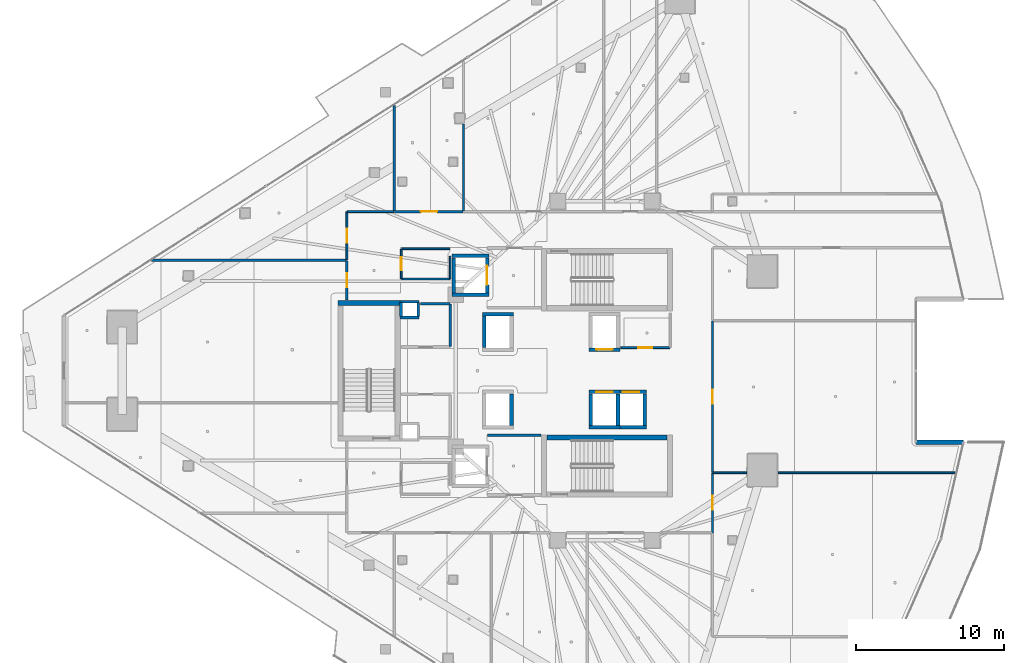
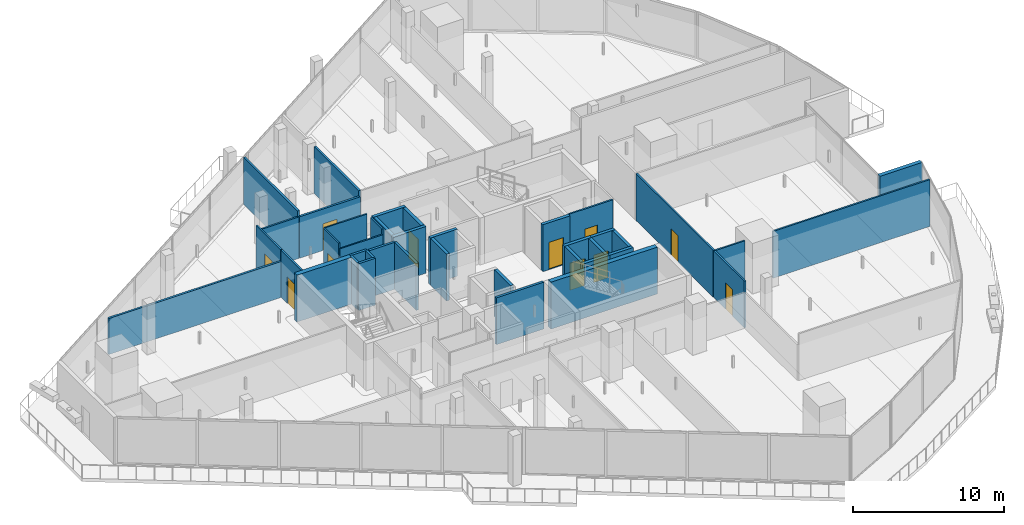
# One storey, part 26 of 39: 41 walls, 11 doors, 11 openings.
"""IFC4 building model written with IfcOpenShell, lengths in metres."""

from ifc_helpers import new_model, si_unit, direction, frame, frame_2d, origin, place, context, subcontext, project, spatial, rectangle, extrude, material, layer, layer_set, type_object, element, fill, save


model = new_model("IFC4")

# Units and contexts
model_context = context("Model", 3, precision=1e-05, world=origin(), true_north=direction((0.0, 1.0)))
body_context = subcontext(model_context, "Body", "Model", "MODEL_VIEW")
ifc_project = project(units=[si_unit("LENGTHUNIT", "METRE"), si_unit("AREAUNIT", "SQUARE_METRE"), si_unit("VOLUMEUNIT", "CUBIC_METRE"), si_unit("PLANEANGLEUNIT", "RADIAN"), si_unit("MASSUNIT", "GRAM", prefix="KILO")], contexts=[model_context])

# Site, building, storey
site_placement = place(None, origin())
site = spatial("IfcSite", under=ifc_project, at=site_placement, CompositionType="ELEMENT")
building_placement = place(site_placement, origin())
building = spatial("IfcBuilding", under=site, at=building_placement, Name="Qorvath Tower", CompositionType="ELEMENT")
storey_placement = place(building_placement, frame((0.0, 0.0, 142.199951171875)))
storey = spatial("IfcBuildingStorey", under=building, at=storey_placement, Name="L32", CompositionType="ELEMENT", Elevation=142.199951171875)

# Walls
ifc_material_1 = material(Name="Gypsum shaftliner on steel studs", Category="steel")
ifc_layer_1 = layer(ifc_material_1, 0.179931640625)
ifc_layer_set_1 = layer_set([ifc_layer_1], Name="FW-LOBBY")
wall_type_1 = type_object("IfcWallType", Name="FW-LOBBY", PredefinedType="PARTITIONING", material=ifc_layer_set_1)
for number, where, z_axis, x_axis, name in (
    (1, (-32.989990234375, 3.594970703125, 0.0), (0.0, 0.0, 1.0), (-1.0, 0.0, 0.0), "MEP Riser Shaft Enclosure Wall N-L32-S"),
    (2, (-34.260009765625, 4.675048828125, 0.0), (0.0, 0.0, 1.0), (1.0, 0.0, 0.0), "MEP Riser Shaft Enclosure Wall N-L32-N"),
):
    element("IfcWall", number, at=place(storey_placement, frame(where, z_axis=z_axis, x_axis=x_axis)), inside=storey, type_object=wall_type_1, Name=name, PredefinedType="PARTITIONING", context=body_context, shape_type="SweptSolid", body=[
        extrude(rectangle(XDim=1.27001953125, YDim=0.179931640625, at=frame_2d((0.635009765625, 0.0))), origin(), (0.0, 0.0, 1.0), 3.780029296875),
    ])
for number, where, z_axis, x_axis, name in (
    (3, (-34.205078125, 3.659912109375, 0.0), (0.0, 0.0, 1.0), (0.0, 1.0, 0.0), "MEP Riser Shaft Enclosure Wall N-L32-W"),
    (4, (-33.044921875, 4.610107421875, 0.0), (0.0, 0.0, 1.0), (0.0, -1.0, 0.0), "MEP Riser Shaft Enclosure Wall N-L32-E"),
):
    element("IfcWall", number, at=place(storey_placement, frame(where, z_axis=z_axis, x_axis=x_axis)), inside=storey, type_object=wall_type_1, Name=name, PredefinedType="PARTITIONING", context=body_context, shape_type="SweptSolid", body=[
        extrude(rectangle(XDim=0.9501953125, YDim=0.179931640625, at=frame_2d((0.47509765625, 0.0))), origin(), (0.0, 0.0, 1.0), 3.780029296875),
    ])
wall_1_placement = place(storey_placement, frame((-24.73291015625, -4.35009765625, 0.0), z_axis=(0.0, 0.0, 1.0), x_axis=(-1.0, 0.0, 0.0)))
element("IfcWall", 5, at=wall_1_placement, inside=storey, type_object=wall_type_1, Name="Interior Partition IW-T1-L32-004", PredefinedType="PARTITIONING", context=body_context, shape_type="SweptSolid", body=[
    extrude(rectangle(XDim=3.6220703125, YDim=0.179931640625, at=frame_2d((1.81103515625, 0.0))), origin(), (0.0, 0.0, 1.0), 3.780029296875),
])
wall_2_placement = place(storey_placement, frame((-30.8798828125, 1.625, 0.0), z_axis=(0.0, 0.0, 1.0), x_axis=(0.0, 1.0, 0.0)))
element("IfcWall", 6, at=wall_2_placement, inside=storey, type_object=wall_type_1, Name="Interior Partition IW-T1-L32-016", PredefinedType="PARTITIONING", context=body_context, shape_type="SweptSolid", body=[
    extrude(rectangle(XDim=2.889892578125, YDim=0.179931640625, at=frame_2d((1.44482421875, 0.0))), origin(), (0.0, 0.0, 1.0), 3.780029296875),
])
wall_3_placement = place(storey_placement, frame((-30.90478515625, 4.5400390625, 0.0), z_axis=(0.0, 0.0, 1.0), x_axis=(-1.0, 0.0, 0.0)))
element("IfcWall", 7, at=wall_3_placement, inside=storey, type_object=wall_type_1, Name="Interior Partition IW-T1-L32-017", PredefinedType="PARTITIONING", context=body_context, shape_type="SweptSolid", body=[
    extrude(rectangle(XDim=1.97509765625, YDim=0.179931640625, at=frame_2d((0.987548828125, 0.0))), origin(), (0.0, 0.0, 1.0), 3.780029296875),
])

# Wall, opening, door
ifc_material_2 = material(Name="Double acoustic gypsum board on steel studs", Category="steel")
ifc_layer_2 = layer(ifc_material_2, 0.159912109375)
ifc_layer_set_2 = layer_set([ifc_layer_2], Name="IW-ACOUSTIC-160")
wall_type_2 = type_object("IfcWallType", Name="IW-ACOUSTIC-160", PredefinedType="PARTITIONING", material=ifc_layer_set_2)
wall_4_placement = place(storey_placement, frame((-34.625, 10.758056640625, 0.0), z_axis=(0.0, 0.0, 1.0), x_axis=(1.0, 0.0, 0.0)))
wall_4 = element("IfcWall", 8, at=wall_4_placement, inside=storey, type_object=wall_type_2, Name="Interior Partition IW-T1-L32-021", PredefinedType="PARTITIONING", context=body_context, shape_type="SweptSolid", body=[
    extrude(rectangle(XDim=4.62109375, YDim=0.159912109375, at=frame_2d((2.310546875, 0.0))), origin(), (0.0, 0.0, 1.0), 3.34423828125),
])
opening_1_placement = place(wall_4_placement, frame((1.760498046875, 0.0, 0.0)))
opening_1 = element("IfcOpeningElement", 9, at=opening_1_placement, cuts=wall_4, Name="Opening D-T1-L32-06", PredefinedType="OPENING", context=body_context, shape_type="SweptSolid", body=[
    extrude(rectangle(XDim=1.10009765625, YDim=2.14990234375, at=frame_2d((0.550048828125, 1.074951171875))), frame((0.0, 0.08984375, 0.0), z_axis=(0.0, -1.0, 0.0), x_axis=(1.0, 0.0, 0.0)), (0.0, 0.0, 1.0), 0.179931640625),
])
ifc_material_3 = material(Name="Anodised aluminium acoustic framed glass", Category="aluminium")
door_type_1 = type_object("IfcDoorType", Name="D-03", OperationType="NOTDEFINED", PredefinedType="DOOR", material=ifc_material_3)
door_1_placement = place(opening_1_placement, origin())
door_1 = element("IfcDoor", 10, at=door_1_placement, inside=storey, type_object=door_type_1, Name="L32-01 Client Services Office Door D-T1-L32-06", OperationType="SINGLE_SWING_LEFT", OverallHeight=2.14990234375, OverallWidth=1.10009765625, PredefinedType="DOOR", context=body_context, shape_type="SweptSolid", body=[
    extrude(rectangle(XDim=1.10009765625, YDim=2.14990234375, at=frame_2d((0.550048828125, 1.074951171875))), frame((0.0, 0.02490234375, 0.0), z_axis=(0.0, -1.0, 0.0), x_axis=(1.0, 0.0, 0.0)), (0.0, 0.0, 1.0), 0.050048828125),
])
fill(opening_1, door_1)

# Walls
wall_5_placement = place(storey_placement, frame((-29.97900390625, 10.783203125, 0.0), z_axis=(0.0, 0.0, 1.0), x_axis=(0.0, 1.0, 0.0)))
element("IfcWall", 11, at=wall_5_placement, inside=storey, type_object=wall_type_2, Name="Interior Partition IW-T1-L32-022", PredefinedType="PARTITIONING", context=body_context, shape_type="SweptSolid", body=[
    extrude(rectangle(XDim=5.886474609375, YDim=0.159912109375, at=frame_2d((2.943359375, 0.0))), origin(), (0.0, 0.0, 1.0), 3.780029296875),
])
wall_6_placement = place(storey_placement, frame((-34.64990234375, 17.9345703125, 0.0), z_axis=(0.0, 0.0, 1.0), x_axis=(0.0, -1.0, 0.0)))
element("IfcWall", 12, at=wall_6_placement, inside=storey, type_object=wall_type_2, Name="Interior Partition IW-T1-L32-024", PredefinedType="PARTITIONING", context=body_context, shape_type="SweptSolid", body=[
    extrude(rectangle(XDim=7.1513671875, YDim=0.159912109375, at=frame_2d((3.57568359375, 0.0))), origin(), (0.0, 0.0, 1.0), 3.780029296875),
])

# Wall, opening, door
wall_7_placement = place(storey_placement, frame((-37.85791015625, 4.783203125, 0.0), z_axis=(0.0, 0.0, 1.0), x_axis=(0.0, 1.0, 0.0)))
wall_7 = element("IfcWall", 13, at=wall_7_placement, inside=storey, type_object=wall_type_2, Name="Interior Partition IW-T1-L32-057", PredefinedType="PARTITIONING", context=body_context, shape_type="SweptSolid", body=[
    extrude(rectangle(XDim=2.6513671875, YDim=0.159912109375, at=frame_2d((1.32568359375, 0.0))), origin(), (0.0, 0.0, 1.0), 3.780029296875),
])
opening_2_placement = place(wall_7_placement, frame((0.8505859375, 0.0, 0.0)))
opening_2 = element("IfcOpeningElement", 14, at=opening_2_placement, cuts=wall_7, Name="Opening D-T1-L32-18", PredefinedType="OPENING", context=body_context, shape_type="SweptSolid", body=[
    extrude(rectangle(XDim=0.949951171875, YDim=2.14990234375, at=frame_2d((0.47509765625, 1.074951171875))), frame((0.0, 0.08984375, 0.0), z_axis=(0.0, -1.0, 0.0), x_axis=(1.0, 0.0, 0.0)), (0.0, 0.0, 1.0), 0.179931640625),
])
ifc_material_4 = material(Name="Solid-core American white oak veneer", Category="wood")
door_type_2 = type_object("IfcDoorType", Name="D-01", OperationType="NOTDEFINED", PredefinedType="DOOR", material=ifc_material_4)
door_2_placement = place(opening_2_placement, origin())
door_2 = element("IfcDoor", 15, at=door_2_placement, inside=storey, type_object=door_type_2, Name="L32-13 Staff Wellness Studio Door D-T1-L32-18", OperationType="SINGLE_SWING_LEFT", OverallHeight=2.14990234375, OverallWidth=0.949951171875, PredefinedType="DOOR", context=body_context, shape_type="SweptSolid", body=[
    extrude(rectangle(XDim=0.949951171875, YDim=2.14990234375, at=frame_2d((0.47509765625, 1.074951171875))), frame((0.0, 0.02490234375, 0.0), z_axis=(0.0, -1.0, 0.0), x_axis=(1.0, 0.0, 0.0)), (0.0, 0.0, 1.0), 0.050048828125),
])
fill(opening_2, door_2)

# Wall
wall_8_placement = place(storey_placement, frame((-37.8828125, 7.45947265625, 0.0), z_axis=(0.0, 0.0, 1.0), x_axis=(-1.0, 0.0, 0.0)))
element("IfcWall", 16, at=wall_8_placement, inside=storey, type_object=wall_type_2, Name="Interior Partition IW-T1-L32-058", PredefinedType="PARTITIONING", context=body_context, shape_type="SweptSolid", body=[
    extrude(rectangle(XDim=13.201904296875, YDim=0.159912109375, at=frame_2d((6.60107421875, 0.0))), origin(), (0.0, 0.0, 1.0), 2.89990234375),
])

# Wall, opening, door
ifc_material_5 = material(Name="Gypsum board on metal studs with mineral wool", Category="gypsum")
ifc_layer_3 = layer(ifc_material_5, 0.125)
ifc_layer_set_3 = layer_set([ifc_layer_3], Name="IW-PART-125")
wall_type_3 = type_object("IfcWallType", Name="IW-PART-125", PredefinedType="PARTITIONING", material=ifc_layer_set_3)
wall_9_placement = place(storey_placement, frame((-19.333740234375, 1.56005859375, 0.0), z_axis=(0.0, 0.0, 1.0), x_axis=(1.0, 0.0, 0.0)))
wall_9 = element("IfcWall", 17, at=wall_9_placement, inside=storey, type_object=wall_type_3, Name="Interior Partition IW-T1-L32-013", PredefinedType="PARTITIONING", context=body_context, shape_type="SweptSolid", body=[
    extrude(rectangle(XDim=3.308837890625, YDim=0.125, at=frame_2d((1.654296875, 0.0))), origin(), (0.0, 0.0, 1.0), 3.780029296875),
])
opening_3_placement = place(wall_9_placement, frame((1.179443359375, 0.0, 0.0)))
opening_3 = element("IfcOpeningElement", 18, at=opening_3_placement, cuts=wall_9, Name="Opening D-T1-L32-03", PredefinedType="OPENING", context=body_context, shape_type="SweptSolid", body=[
    extrude(rectangle(XDim=0.949951171875, YDim=2.14990234375, at=frame_2d((0.47509765625, 1.074951171875))), frame((0.0, 0.072509765625, 0.0), z_axis=(0.0, -1.0, 0.0), x_axis=(1.0, 0.0, 0.0)), (0.0, 0.0, 1.0), 0.14501953125),
])
door_3_placement = place(opening_3_placement, origin())
door_3 = element("IfcDoor", 19, at=door_3_placement, inside=storey, type_object=door_type_2, Name="L32-RCN North Staff Refreshment Pantry Door D-T1-L32-03", OperationType="SINGLE_SWING_RIGHT", OverallHeight=2.14990234375, OverallWidth=0.949951171875, PredefinedType="DOOR", context=body_context, shape_type="SweptSolid", body=[
    extrude(rectangle(XDim=0.949951171875, YDim=2.14990234375, at=frame_2d((0.47509765625, 1.074951171875))), frame((0.0, 0.02490234375, 0.0), z_axis=(0.0, -1.0, 0.0), x_axis=(1.0, 0.0, 0.0)), (0.0, 0.0, 1.0), 0.050048828125),
])
fill(opening_3, door_3)

# Walls
wall_10_placement = place(storey_placement, frame((3.270751953125, -6.896728515625, 0.0), z_axis=(0.0, 0.0, 1.0), x_axis=(-1.0, 0.0, 0.0)))
element("IfcWall", 20, at=wall_10_placement, inside=storey, type_object=wall_type_3, Name="Interior Partition IW-T1-L32-043", PredefinedType="PARTITIONING", context=body_context, shape_type="SweptSolid", body=[
    extrude(rectangle(XDim=11.97607421875, YDim=0.125, at=frame_2d((5.988037109375, 0.0))), origin(), (0.0, 0.0, 1.0), 3.780029296875),
])
wall_11_placement = place(storey_placement, frame((-10.835205078125, -6.896728515625, 0.0), z_axis=(0.0, 0.0, 1.0), x_axis=(-1.0, 0.0, 0.0)))
element("IfcWall", 21, at=wall_11_placement, inside=storey, type_object=wall_type_3, Name="Interior Partition IW-T1-L32-044", PredefinedType="PARTITIONING", context=body_context, shape_type="SweptSolid", body=[
    extrude(rectangle(XDim=2.281982421875, YDim=0.125, at=frame_2d((1.14111328125, 0.0))), origin(), (0.0, 0.0, 1.0), 3.780029296875),
])

# Wall, opening, door
wall_12_placement = place(storey_placement, frame((-13.14208984375, -6.921630859375, 0.0), z_axis=(0.0, 0.0, 1.0), x_axis=(0.0, -1.0, 0.0)))
wall_12 = element("IfcWall", 22, at=wall_12_placement, inside=storey, type_object=wall_type_3, Name="Interior Partition IW-T1-L32-045", PredefinedType="PARTITIONING", context=body_context, shape_type="SweptSolid", body=[
    extrude(rectangle(XDim=4.036376953125, YDim=0.125, at=frame_2d((2.01806640625, 0.0))), origin(), (0.0, 0.0, 1.0), 3.780029296875),
])
opening_4_placement = place(wall_12_placement, frame((1.543212890625, 0.0, 0.0)))
opening_4 = element("IfcOpeningElement", 23, at=opening_4_placement, cuts=wall_12, Name="Opening D-T1-L32-13", PredefinedType="OPENING", context=body_context, shape_type="SweptSolid", body=[
    extrude(rectangle(XDim=0.949951171875, YDim=2.14990234375, at=frame_2d((0.47509765625, 1.074951171875))), frame((0.0, 0.072509765625, 0.0), z_axis=(0.0, -1.0, 0.0), x_axis=(1.0, 0.0, 0.0)), (0.0, 0.0, 1.0), 0.14501953125),
])
door_4_placement = place(opening_4_placement, origin())
door_4 = element("IfcDoor", 24, at=door_4_placement, inside=storey, type_object=door_type_2, Name="L32-08 Engineering Documentation Suite Door D-T1-L32-13", OperationType="SINGLE_SWING_RIGHT", OverallHeight=2.14990234375, OverallWidth=0.949951171875, PredefinedType="DOOR", context=body_context, shape_type="SweptSolid", body=[
    extrude(rectangle(XDim=0.949951171875, YDim=2.14990234375, at=frame_2d((0.47509765625, 1.074951171875))), frame((0.0, 0.02490234375, 0.0), z_axis=(0.0, -1.0, 0.0), x_axis=(1.0, 0.0, 0.0)), (0.0, 0.0, 1.0), 0.050048828125),
])
fill(opening_4, door_4)

wall_13_placement = place(storey_placement, frame((-13.14208984375, 3.35791015625, 0.0), z_axis=(0.0, 0.0, 1.0), x_axis=(0.0, -1.0, 0.0)))
wall_13 = element("IfcWall", 25, at=wall_13_placement, inside=storey, type_object=wall_type_3, Name="Interior Partition IW-T1-L32-047", PredefinedType="PARTITIONING", context=body_context, shape_type="SweptSolid", body=[
    extrude(rectangle(XDim=10.221923828125, YDim=0.125, at=frame_2d((5.11083984375, 0.0))), origin(), (0.0, 0.0, 1.0), 3.780029296875),
])
opening_5_placement = place(wall_13_placement, frame((4.635986328125, 0.0, 0.0)))
opening_5 = element("IfcOpeningElement", 26, at=opening_5_placement, cuts=wall_13, Name="Opening D-T1-L32-14", PredefinedType="OPENING", context=body_context, shape_type="SweptSolid", body=[
    extrude(rectangle(XDim=0.949951171875, YDim=2.14990234375, at=frame_2d((0.47509765625, 1.074951171875))), frame((0.0, 0.072509765625, 0.0), z_axis=(0.0, -1.0, 0.0), x_axis=(1.0, 0.0, 0.0)), (0.0, 0.0, 1.0), 0.14501953125),
])
door_5_placement = place(opening_5_placement, origin())
door_5 = element("IfcDoor", 27, at=door_5_placement, inside=storey, type_object=door_type_2, Name="L32-09 Open Workplace Studio Door D-T1-L32-14", OperationType="SINGLE_SWING_LEFT", OverallHeight=2.14990234375, OverallWidth=0.949951171875, PredefinedType="DOOR", context=body_context, shape_type="SweptSolid", body=[
    extrude(rectangle(XDim=0.949951171875, YDim=2.14990234375, at=frame_2d((0.47509765625, 1.074951171875))), frame((0.0, 0.02490234375, 0.0), z_axis=(0.0, -1.0, 0.0), x_axis=(1.0, 0.0, 0.0)), (0.0, 0.0, 1.0), 0.050048828125),
])
fill(opening_5, door_5)

wall_14_placement = place(storey_placement, frame((-37.85791015625, 7.492431640625, 0.0), z_axis=(0.0, 0.0, 1.0), x_axis=(0.0, 1.0, 0.0)))
wall_14 = element("IfcWall", 28, at=wall_14_placement, inside=storey, type_object=wall_type_3, Name="Interior Partition IW-T1-L32-059", PredefinedType="PARTITIONING", context=body_context, shape_type="SweptSolid", body=[
    extrude(rectangle(XDim=3.24072265625, YDim=0.125, at=frame_2d((1.620361328125, 0.0))), origin(), (0.0, 0.0, 1.0), 3.780029296875),
])
opening_6_placement = place(wall_14_placement, frame((1.1455078125, 0.0, 0.0)))
opening_6 = element("IfcOpeningElement", 29, at=opening_6_placement, cuts=wall_14, Name="Opening D-T1-L32-19", PredefinedType="OPENING", context=body_context, shape_type="SweptSolid", body=[
    extrude(rectangle(XDim=0.949951171875, YDim=2.14990234375, at=frame_2d((0.47509765625, 1.074951171875))), frame((0.0, 0.072509765625, 0.0), z_axis=(0.0, -1.0, 0.0), x_axis=(1.0, 0.0, 0.0)), (0.0, 0.0, 1.0), 0.14501953125),
])
door_6_placement = place(opening_6_placement, origin())
door_6 = element("IfcDoor", 30, at=door_6_placement, inside=storey, type_object=door_type_2, Name="L32-14 Design Pin-Up Atelier Door D-T1-L32-19", OperationType="SINGLE_SWING_RIGHT", OverallHeight=2.14990234375, OverallWidth=0.949951171875, PredefinedType="DOOR", context=body_context, shape_type="SweptSolid", body=[
    extrude(rectangle(XDim=0.949951171875, YDim=2.14990234375, at=frame_2d((0.47509765625, 1.074951171875))), frame((0.0, 0.02490234375, 0.0), z_axis=(0.0, -1.0, 0.0), x_axis=(1.0, 0.0, 0.0)), (0.0, 0.0, 1.0), 0.050048828125),
])
fill(opening_6, door_6)

# Wall
wall_15_placement = place(storey_placement, frame((-37.8330078125, 10.758056640625, 0.0), z_axis=(0.0, 0.0, 1.0), x_axis=(1.0, 0.0, 0.0)))
element("IfcWall", 31, at=wall_15_placement, inside=storey, type_object=wall_type_3, Name="Interior Partition IW-T1-L32-060", PredefinedType="PARTITIONING", context=body_context, shape_type="SweptSolid", body=[
    extrude(rectangle(XDim=3.14990234375, YDim=0.125, at=frame_2d((1.574951171875, 0.0))), origin(), (0.0, 0.0, 1.0), 3.34423828125),
])

# Wall, opening, door
ifc_material_6 = material(Name="Moisture-resistant cement board on metal studs", Category="gypsum")
ifc_layer_4 = layer(ifc_material_6, 0.110107421875)
ifc_layer_set_4 = layer_set([ifc_layer_4], Name="IW-WC-110")
wall_type_4 = type_object("IfcWallType", Name="IW-WC-110", PredefinedType="PARTITIONING", material=ifc_layer_set_4)
wall_16_placement = place(storey_placement, frame((-34.179931640625, 8.22509765625, 0.0), z_axis=(0.0, 0.0, 1.0), x_axis=(0.0, -1.0, 0.0)))
wall_16 = element("IfcWall", 32, at=wall_16_placement, inside=storey, type_object=wall_type_4, Name="Interior Partition IW-T1-L32-005", PredefinedType="PARTITIONING", context=body_context, shape_type="SweptSolid", body=[
    extrude(rectangle(XDim=2.0, YDim=0.110107421875, at=frame_2d((1.0, 0.0))), origin(), (0.0, 0.0, 1.0), 3.780029296875),
])
opening_7_placement = place(wall_16_placement, frame((0.56005859375, 0.0, 0.0)))
opening_7 = element("IfcOpeningElement", 33, at=opening_7_placement, cuts=wall_16, Name="Opening D-T1-L32-01", PredefinedType="OPENING", context=body_context, shape_type="SweptSolid", body=[
    extrude(rectangle(XDim=0.8798828125, YDim=2.10009765625, at=frame_2d((0.43994140625, 1.050048828125))), frame((0.0, 0.06494140625, 0.0), z_axis=(0.0, -1.0, 0.0), x_axis=(1.0, 0.0, 0.0)), (0.0, 0.0, 1.0), 0.130126953125),
])
ifc_material_7 = material(Name="Solid-core oak with acoustic drop seal", Category="wood")
door_type_3 = type_object("IfcDoorType", Name="D-02", OperationType="NOTDEFINED", PredefinedType="DOOR", material=ifc_material_7)
door_7_placement = place(opening_7_placement, origin())
door_7 = element("IfcDoor", 34, at=door_7_placement, inside=storey, type_object=door_type_3, Name="WC All-Gender North L32 Door D-T1-L32-01", OperationType="SINGLE_SWING_RIGHT", OverallHeight=2.10009765625, OverallWidth=0.8798828125, PredefinedType="DOOR", context=body_context, shape_type="SweptSolid", body=[
    extrude(rectangle(XDim=0.8798828125, YDim=2.10009765625, at=frame_2d((0.43994140625, 1.050048828125))), frame((0.0, 0.02490234375, 0.0), z_axis=(0.0, -1.0, 0.0), x_axis=(1.0, 0.0, 0.0)), (0.0, 0.0, 1.0), 0.050048828125),
])
fill(opening_7, door_7)

# Walls
wall_17_placement = place(storey_placement, frame((-34.15478515625, 6.199951171875, 0.0), z_axis=(0.0, 0.0, 1.0), x_axis=(1.0, 0.0, 0.0)))
element("IfcWall", 35, at=wall_17_placement, inside=storey, type_object=wall_type_4, Name="Interior Partition IW-T1-L32-006", PredefinedType="PARTITIONING", context=body_context, shape_type="SweptSolid", body=[
    extrude(rectangle(XDim=3.25, YDim=0.110107421875, at=frame_2d((1.625, 0.0))), origin(), (0.0, 0.0, 1.0), 3.34423828125),
])
wall_18_placement = place(storey_placement, frame((-30.8798828125, 6.22509765625, 0.0), z_axis=(0.0, 0.0, 1.0), x_axis=(0.0, 1.0, 0.0)))
element("IfcWall", 36, at=wall_18_placement, inside=storey, type_object=wall_type_4, Name="Interior Partition IW-T1-L32-007", PredefinedType="PARTITIONING", context=body_context, shape_type="SweptSolid", body=[
    extrude(rectangle(XDim=1.517822265625, YDim=0.110107421875, at=frame_2d((0.7587890625, 0.0))), origin(), (0.0, 0.0, 1.0), 3.780029296875),
])
wall_19_placement = place(storey_placement, frame((-30.90478515625, 8.25, 0.0), z_axis=(0.0, 0.0, 1.0), x_axis=(-1.0, 0.0, 0.0)))
element("IfcWall", 37, at=wall_19_placement, inside=storey, type_object=wall_type_4, Name="Interior Partition IW-T1-L32-008", PredefinedType="PARTITIONING", context=body_context, shape_type="SweptSolid", body=[
    extrude(rectangle(XDim=3.25, YDim=0.110107421875, at=frame_2d((1.625, 0.0))), origin(), (0.0, 0.0, 1.0), 3.780029296875),
])
ifc_material_8 = material(Name="Concrete C60/75", Category="concrete")
ifc_layer_5 = layer(ifc_material_8, 0.260009765625)
ifc_layer_set_5 = layer_set([ifc_layer_5], Name="SW-SHAFT")
wall_type_5 = type_object("IfcWallType", Name="SW-SHAFT", PredefinedType="SHEAR", material=ifc_layer_set_5)
for number, where, z_axis, x_axis, name in (
    (38, (-28.260009765625, 5.1298828125, 0.0), (0.0, 0.0, 1.0), (-1.0, 0.0, 0.0), "Hoistway Wall FSAE-1 L32 S"),
    (39, (-30.739990234375, 7.77001953125, 0.0), (0.0, 0.0, 1.0), (1.0, 0.0, 0.0), "Hoistway Wall FSAE-1 L32 N"),
):
    element("IfcWall", number, at=place(storey_placement, frame(where, z_axis=z_axis, x_axis=x_axis)), inside=storey, type_object=wall_type_5, Name=name, PredefinedType="SHEAR", context=body_context, shape_type="SweptSolid", body=[
        extrude(rectangle(XDim=2.47998046875, YDim=0.239990234375, at=frame_2d((1.239990234375, 0.0))), origin(), (0.0, 0.0, 1.0), 3.780029296875),
    ])
wall_20_placement = place(storey_placement, frame((-30.6201171875, 5.261962890625, 0.0), z_axis=(0.0, 0.0, 1.0), x_axis=(0.0, 1.0, 0.0)))
element("IfcWall", 40, at=wall_20_placement, inside=storey, type_object=wall_type_5, Name="Hoistway Wall FSAE-1 L32 W", PredefinedType="SHEAR", context=body_context, shape_type="SweptSolid", body=[
    extrude(rectangle(XDim=2.3759765625, YDim=0.239990234375, at=frame_2d((1.18798828125, 0.0))), origin(), (0.0, 0.0, 1.0), 3.780029296875),
])

# Wall, opening, door
wall_21_placement = place(storey_placement, frame((-28.3798828125, 7.637939453125, 0.0), z_axis=(0.0, 0.0, 1.0), x_axis=(0.0, -1.0, 0.0)))
wall_21 = element("IfcWall", 41, at=wall_21_placement, inside=storey, type_object=wall_type_5, Name="Hoistway Wall FSAE-1 L32 E", PredefinedType="SHEAR", context=body_context, shape_type="SweptSolid", body=[
    extrude(rectangle(XDim=2.3759765625, YDim=0.239990234375, at=frame_2d((1.18798828125, 0.0))), origin(), (0.0, 0.0, 1.0), 3.780029296875),
])
opening_8_placement = place(wall_21_placement, frame((0.537841796875, 0.0, 0.0)))
opening_8 = element("IfcOpeningElement", 42, at=opening_8_placement, cuts=wall_21, Name="Opening LD-FSAE-1-L32", PredefinedType="OPENING", context=body_context, shape_type="SweptSolid", body=[
    extrude(rectangle(XDim=1.300048828125, YDim=2.300048828125, at=frame_2d((0.64990234375, 1.14990234375))), frame((0.0, 0.1298828125, 0.0), z_axis=(0.0, -1.0, 0.0), x_axis=(1.0, 0.0, 0.0)), (0.0, 0.0, 1.0), 0.260009765625),
])
ifc_material_9 = material(Name="Brushed stainless steel AISI 316", Category="steel")
door_type_4 = type_object("IfcDoorType", Name="LD-02", OperationType="NOTDEFINED", PredefinedType="DOOR", material=ifc_material_9)
door_8_placement = place(opening_8_placement, origin())
door_8 = element("IfcDoor", 43, at=door_8_placement, inside=storey, type_object=door_type_4, Name="Elevator Landing Sliding Door LD-FSAE-1-L32", OperationType="DOUBLE_DOOR_SLIDING", OverallHeight=2.300048828125, OverallWidth=1.300048828125, PredefinedType="DOOR", context=body_context, shape_type="SweptSolid", body=[
    extrude(rectangle(XDim=1.300048828125, YDim=2.300048828125, at=frame_2d((0.64990234375, 1.14990234375))), frame((0.0, 0.02490234375, 0.0), z_axis=(0.0, -1.0, 0.0), x_axis=(1.0, 0.0, 0.0)), (0.0, 0.0, 1.0), 0.050048828125),
])
fill(opening_8, door_8)

# Walls
wall_22_placement = place(storey_placement, frame((-28.68994140625, 3.820068359375, 0.0), z_axis=(0.0, 0.0, 1.0), x_axis=(1.0, 0.0, 0.0)))
element("IfcWall", 44, at=wall_22_placement, inside=storey, type_object=wall_type_5, Name="Hoistway Wall PS-1 L32 N", PredefinedType="SHEAR", context=body_context, shape_type="SweptSolid", body=[
    extrude(rectangle(XDim=2.079833984375, YDim=0.239990234375, at=frame_2d((1.0400390625, 0.0))), origin(), (0.0, 0.0, 1.0), 3.780029296875),
])
wall_23_placement = place(storey_placement, frame((-28.570068359375, 1.56201171875, 0.0), z_axis=(0.0, 0.0, 1.0), x_axis=(0.0, 1.0, 0.0)))
element("IfcWall", 45, at=wall_23_placement, inside=storey, type_object=wall_type_5, Name="Hoistway Wall PS-1 L32 W", PredefinedType="SHEAR", context=body_context, shape_type="SweptSolid", body=[
    extrude(rectangle(XDim=2.1259765625, YDim=0.239990234375, at=frame_2d((1.06298828125, 0.0))), origin(), (0.0, 0.0, 1.0), 3.780029296875),
])

# Wall, opening, door
wall_24_placement = place(storey_placement, frame((-19.409912109375, 1.429931640625, 0.0), z_axis=(0.0, 0.0, 1.0), x_axis=(-1.0, 0.0, 0.0)))
wall_24 = element("IfcWall", 46, at=wall_24_placement, inside=storey, type_object=wall_type_5, Name="Hoistway Wall PM-1 L32 S", PredefinedType="SHEAR", context=body_context, shape_type="SweptSolid", body=[
    extrude(rectangle(XDim=2.080078125, YDim=0.239990234375, at=frame_2d((1.0400390625, 0.0))), origin(), (0.0, 0.0, 1.0), 3.780029296875),
])
opening_9_placement = place(wall_24_placement, frame((0.489990234375, 0.0, 0.0)))
opening_9 = element("IfcOpeningElement", 47, at=opening_9_placement, cuts=wall_24, Name="Opening LD-PM-1-L32", PredefinedType="OPENING", context=body_context, shape_type="SweptSolid", body=[
    extrude(rectangle(XDim=1.10009765625, YDim=2.199951171875, at=frame_2d((0.550048828125, 1.10009765625))), frame((0.0, 0.1298828125, 0.0), z_axis=(0.0, -1.0, 0.0), x_axis=(1.0, 0.0, 0.0)), (0.0, 0.0, 1.0), 0.260009765625),
])
ifc_material_10 = material(Name="Brushed stainless steel AISI 316", Category="steel")
door_type_5 = type_object("IfcDoorType", Name="LD-01", OperationType="NOTDEFINED", PredefinedType="DOOR", material=ifc_material_10)
door_9_placement = place(opening_9_placement, origin())
door_9 = element("IfcDoor", 48, at=door_9_placement, inside=storey, type_object=door_type_5, Name="Elevator Landing Sliding Door LD-PM-1-L32", OperationType="DOUBLE_DOOR_SLIDING", OverallHeight=2.199951171875, OverallWidth=1.10009765625, PredefinedType="DOOR", context=body_context, shape_type="SweptSolid", body=[
    extrude(rectangle(XDim=1.10009765625, YDim=2.199951171875, at=frame_2d((0.550048828125, 1.10009765625))), frame((0.0, 0.02490234375, 0.0), z_axis=(0.0, -1.0, 0.0), x_axis=(1.0, 0.0, 0.0)), (0.0, 0.0, 1.0), 0.050048828125),
])
fill(opening_9, door_9)

# Walls
wall_25_placement = place(storey_placement, frame((-26.72998046875, -1.56201171875, 0.0), z_axis=(0.0, 0.0, 1.0), x_axis=(0.0, -1.0, 0.0)))
element("IfcWall", 49, at=wall_25_placement, inside=storey, type_object=wall_type_5, Name="Hoistway Wall PS-2 L32 E", PredefinedType="SHEAR", context=body_context, shape_type="SweptSolid", body=[
    extrude(rectangle(XDim=2.1259765625, YDim=0.239990234375, at=frame_2d((1.06298828125, 0.0))), origin(), (0.0, 0.0, 1.0), 3.780029296875),
])
wall_26_placement = place(storey_placement, frame((-19.409912109375, -3.820068359375, 0.0), z_axis=(0.0, 0.0, 1.0), x_axis=(-1.0, 0.0, 0.0)))
element("IfcWall", 50, at=wall_26_placement, inside=storey, type_object=wall_type_5, Name="Hoistway Wall PM-2 L32 S", PredefinedType="SHEAR", context=body_context, shape_type="SweptSolid", body=[
    extrude(rectangle(XDim=2.080078125, YDim=0.239990234375, at=frame_2d((1.0400390625, 0.0))), origin(), (0.0, 0.0, 1.0), 3.780029296875),
])

# Wall, opening, door
wall_27_placement = place(storey_placement, frame((-21.489990234375, -1.429931640625, 0.0), z_axis=(0.0, 0.0, 1.0), x_axis=(1.0, 0.0, 0.0)))
wall_27 = element("IfcWall", 51, at=wall_27_placement, inside=storey, type_object=wall_type_5, Name="Hoistway Wall PM-2 L32 N", PredefinedType="SHEAR", context=body_context, shape_type="SweptSolid", body=[
    extrude(rectangle(XDim=2.080078125, YDim=0.239990234375, at=frame_2d((1.0400390625, 0.0))), origin(), (0.0, 0.0, 1.0), 3.780029296875),
])
opening_10_placement = place(wall_27_placement, frame((0.489990234375, 0.0, 0.0)))
opening_10 = element("IfcOpeningElement", 52, at=opening_10_placement, cuts=wall_27, Name="Opening LD-PM-2-L32", PredefinedType="OPENING", context=body_context, shape_type="SweptSolid", body=[
    extrude(rectangle(XDim=1.10009765625, YDim=2.199951171875, at=frame_2d((0.550048828125, 1.10009765625))), frame((0.0, 0.1298828125, 0.0), z_axis=(0.0, -1.0, 0.0), x_axis=(1.0, 0.0, 0.0)), (0.0, 0.0, 1.0), 0.260009765625),
])
door_10_placement = place(opening_10_placement, origin())
door_10 = element("IfcDoor", 53, at=door_10_placement, inside=storey, type_object=door_type_5, Name="Elevator Landing Sliding Door LD-PM-2-L32", OperationType="DOUBLE_DOOR_SLIDING", OverallHeight=2.199951171875, OverallWidth=1.10009765625, PredefinedType="DOOR", context=body_context, shape_type="SweptSolid", body=[
    extrude(rectangle(XDim=1.10009765625, YDim=2.199951171875, at=frame_2d((0.550048828125, 1.10009765625))), frame((0.0, 0.02490234375, 0.0), z_axis=(0.0, -1.0, 0.0), x_axis=(1.0, 0.0, 0.0)), (0.0, 0.0, 1.0), 0.050048828125),
])
fill(opening_10, door_10)

# Walls
for number, where, z_axis, x_axis, name in (
    (54, (-21.3701171875, -3.68798828125, 0.0), (0.0, 0.0, 1.0), (0.0, 1.0, 0.0), "Hoistway Wall PM-2 L32 W"),
    (55, (-19.530029296875, -1.56201171875, 0.0), (0.0, 0.0, 1.0), (0.0, -1.0, 0.0), "Hoistway Wall PM-2 L32 E"),
):
    element("IfcWall", number, at=place(storey_placement, frame(where, z_axis=z_axis, x_axis=x_axis)), inside=storey, type_object=wall_type_5, Name=name, PredefinedType="SHEAR", context=body_context, shape_type="SweptSolid", body=[
        extrude(rectangle(XDim=2.1259765625, YDim=0.239990234375, at=frame_2d((1.06298828125, 0.0))), origin(), (0.0, 0.0, 1.0), 3.780029296875),
    ])
wall_28_placement = place(storey_placement, frame((-17.610107421875, -3.820068359375, 0.0), z_axis=(0.0, 0.0, 1.0), x_axis=(-1.0, 0.0, 0.0)))
element("IfcWall", 56, at=wall_28_placement, inside=storey, type_object=wall_type_5, Name="Hoistway Wall PM-3 L32 S", PredefinedType="SHEAR", context=body_context, shape_type="SweptSolid", body=[
    extrude(rectangle(XDim=1.7998046875, YDim=0.239990234375, at=frame_2d((0.89990234375, 0.0))), origin(), (0.0, 0.0, 1.0), 3.780029296875),
])

# Wall, opening, door
wall_29_placement = place(storey_placement, frame((-19.409912109375, -1.429931640625, 0.0), z_axis=(0.0, 0.0, 1.0), x_axis=(1.0, 0.0, 0.0)))
wall_29 = element("IfcWall", 57, at=wall_29_placement, inside=storey, type_object=wall_type_5, Name="Hoistway Wall PM-3 L32 N", PredefinedType="SHEAR", context=body_context, shape_type="SweptSolid", body=[
    extrude(rectangle(XDim=1.7998046875, YDim=0.239990234375, at=frame_2d((0.89990234375, 0.0))), origin(), (0.0, 0.0, 1.0), 3.780029296875),
])
opening_11_placement = place(wall_29_placement, frame((0.2099609375, 0.0, 0.0)))
opening_11 = element("IfcOpeningElement", 58, at=opening_11_placement, cuts=wall_29, Name="Opening LD-PM-3-L32", PredefinedType="OPENING", context=body_context, shape_type="SweptSolid", body=[
    extrude(rectangle(XDim=1.10009765625, YDim=2.199951171875, at=frame_2d((0.550048828125, 1.10009765625))), frame((0.0, 0.1298828125, 0.0), z_axis=(0.0, -1.0, 0.0), x_axis=(1.0, 0.0, 0.0)), (0.0, 0.0, 1.0), 0.260009765625),
])
door_11_placement = place(opening_11_placement, origin())
door_11 = element("IfcDoor", 59, at=door_11_placement, inside=storey, type_object=door_type_5, Name="Elevator Landing Sliding Door LD-PM-3-L32", OperationType="DOUBLE_DOOR_SLIDING", OverallHeight=2.199951171875, OverallWidth=1.10009765625, PredefinedType="DOOR", context=body_context, shape_type="SweptSolid", body=[
    extrude(rectangle(XDim=1.10009765625, YDim=2.199951171875, at=frame_2d((0.550048828125, 1.10009765625))), frame((0.0, 0.02490234375, 0.0), z_axis=(0.0, -1.0, 0.0), x_axis=(1.0, 0.0, 0.0)), (0.0, 0.0, 1.0), 0.050048828125),
])
fill(opening_11, door_11)

# Walls
wall_30_placement = place(storey_placement, frame((-17.72998046875, -1.56201171875, 0.0), z_axis=(0.0, 0.0, 1.0), x_axis=(0.0, -1.0, 0.0)))
element("IfcWall", 60, at=wall_30_placement, inside=storey, type_object=wall_type_5, Name="Hoistway Wall PM-3 L32 E", PredefinedType="SHEAR", context=body_context, shape_type="SweptSolid", body=[
    extrude(rectangle(XDim=2.1259765625, YDim=0.239990234375, at=frame_2d((1.06298828125, 0.0))), origin(), (0.0, 0.0, 1.0), 3.780029296875),
])
ifc_material_11 = material(Name="Concrete C60/75", Category="concrete")
ifc_layer_6 = layer(ifc_material_11, 0.35009765625)
ifc_layer_set_6 = layer_set([ifc_layer_6], Name="SW-STAIR")
wall_type_6 = type_object("IfcWallType", Name="SW-STAIR", PredefinedType="SHEAR", material=ifc_layer_set_6)
wall_31_placement = place(storey_placement, frame((-16.215087890625, -4.514892578125, 0.0), z_axis=(0.0, 0.0, 1.0), x_axis=(-1.0, 0.0, 0.0)))
element("IfcWall", 61, at=wall_31_placement, inside=storey, type_object=wall_type_6, Name="Stair TS2 Shear Wall L32 RIGHT", PredefinedType="SHEAR", context=body_context, shape_type="SweptSolid", body=[
    extrude(rectangle(XDim=8.119873046875, YDim=0.35009765625, at=frame_2d((4.06005859375, 0.0))), origin(), (0.0, 0.0, 1.0), 3.780029296875),
])
wall_32_placement = place(storey_placement, frame((-34.25, 4.574951171875, 0.0), z_axis=(0.0, 0.0, 1.0), x_axis=(-1.0, 0.0, 0.0)))
element("IfcWall", 62, at=wall_32_placement, inside=storey, type_object=wall_type_6, Name="Stair TS3 Shear Wall L32 FAR", PredefinedType="SHEAR", context=body_context, shape_type="SweptSolid", body=[
    extrude(rectangle(XDim=4.2099609375, YDim=0.35009765625, at=frame_2d((2.10498046875, 0.0))), origin(), (0.0, 0.0, 1.0), 3.780029296875),
])
ifc_material_12 = material(Name="Precast concrete C45/55", Category="concrete")
ifc_layer_7 = layer(ifc_material_12, 0.300048828125)
ifc_layer_set_7 = layer_set([ifc_layer_7], Name="WL-EW-LOG-300")
wall_type_7 = type_object("IfcWallType", Name="WL-EW-LOG-300", PredefinedType="SOLIDWALL", material=ifc_layer_set_7)
wall_33_placement = place(storey_placement, frame((3.8271484375, -4.83837890625, 0.0), z_axis=(0.0, 0.0, 1.0), x_axis=(-1.0, 0.0, 0.0)))
element("IfcWall", 63, at=wall_33_placement, inside=storey, type_object=wall_type_7, Name="Tower Precast Loggia Wall L32-8.1", PredefinedType="SOLIDWALL", context=body_context, shape_type="SweptSolid", body=[
    extrude(rectangle(XDim=3.2255859375, YDim=0.300048828125, at=frame_2d((1.61279296875, 0.0))), origin(), (0.0, 0.0, 1.0), 3.780029296875),
])

save(model, "model.ifc")
